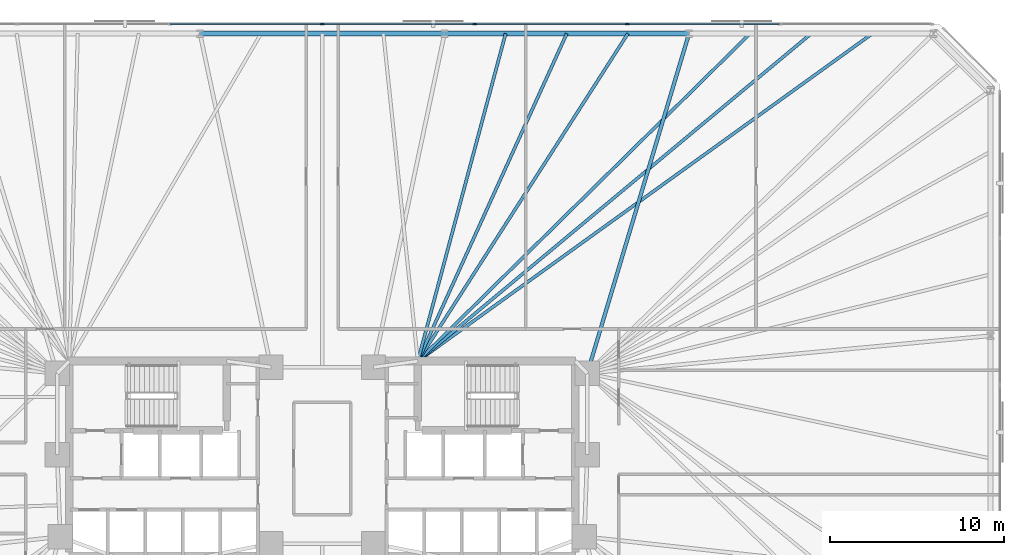
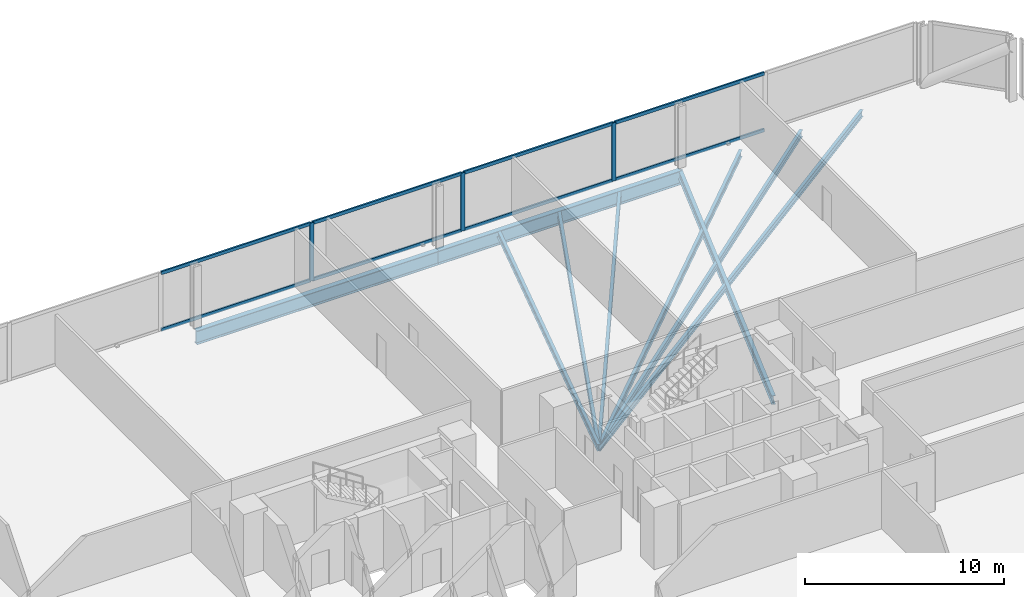
# One storey, part 9 of 17: 11 members, 9 beams, 1 element without a shape of its own.
"""IFC4 building model written with IfcOpenShell, lengths in metres."""

from ifc_helpers import new_model, si_unit, direction, frame, origin, origin_2d, place, context, subcontext, project, spatial, rectangle, i_section, extrude, material, material_profile, profile_set, type_object, element, aggregate, save


model = new_model("IFC4")

# Units and contexts
model_context = context("Model", 3, precision=1e-05, world=origin(), true_north=direction((0.0, 1.0)))
body_context = subcontext(model_context, "Body", "Model", "MODEL_VIEW")
ifc_project = project(units=[si_unit("LENGTHUNIT", "METRE"), si_unit("AREAUNIT", "SQUARE_METRE"), si_unit("VOLUMEUNIT", "CUBIC_METRE"), si_unit("PLANEANGLEUNIT", "RADIAN"), si_unit("MASSUNIT", "GRAM", prefix="KILO")], contexts=[model_context])

# Site, building, storey
site_placement = place(None, origin())
site = spatial("IfcSite", under=ifc_project, at=site_placement, CompositionType="ELEMENT")
building_placement = place(site_placement, origin())
building = spatial("IfcBuilding", under=site, at=building_placement, Name="Menara Jurai Vektor", CompositionType="ELEMENT")
storey_placement = place(building_placement, frame((0.0, 0.0, 71.199951171875)))
storey = spatial("IfcBuildingStorey", under=building, at=storey_placement, Name="L17", CompositionType="ELEMENT", Elevation=71.199951171875)

# Curtain wall, members
ifc_material_1 = material(Name="Anodised Pale Aluminium & Low-E Double Glazing", Category="aluminium")
curtain_wall_type = type_object("IfcCurtainWallType", Name="CW-BLK1", PredefinedType="NOTDEFINED", material=ifc_material_1)
curtain_wall_placement = place(storey_placement, origin())
curtain_wall = element("IfcCurtainWall", 1, at=curtain_wall_placement, inside=storey, type_object=curtain_wall_type, Name="Unitised Curtain Wall L17 F05", PredefinedType="NOTDEFINED")
ifc_material_2 = material(Name="Anodised Pale Aluminium Mullion", Category="aluminium")
ifc_material_profile_1 = material_profile(ifc_material_2, rectangle(XDim=0.094970703125, YDim=0.239990234375, at=origin_2d()), Name="ALU MUL 95x240")
ifc_profile_set_1 = profile_set([ifc_material_profile_1], Name="Anodised Pale Aluminium Mullion")
member_type_1 = type_object("IfcMemberType", Name="CW-BLK1-MUL", PredefinedType="MULLION", material=ifc_profile_set_1)
member_1_placement = place(storey_placement, frame((17.56005859375, 25.0, 0.0), z_axis=(0.0, 0.0, 1.0), x_axis=(0.0, -1.0, 0.0)))
member_1 = element("IfcMember", 2, at=member_1_placement, type_object=member_type_1, Name="CW-01 mullion 3", PredefinedType="MULLION", context=body_context, shape_type="SweptSolid", body=[
    extrude(rectangle(XDim=0.094970703125, YDim=0.239990234375, at=origin_2d()), origin(), (0.0, 0.0, 1.0), 3.574951171875),
])
member_2_placement = place(storey_placement, frame((8.780029296875, 25.0, 0.0), z_axis=(0.0, 0.0, 1.0), x_axis=(0.0, -1.0, 0.0)))
member_2 = element("IfcMember", 3, at=member_2_placement, type_object=member_type_1, Name="CW-01 mullion 4", PredefinedType="MULLION", context=body_context, shape_type="SweptSolid", body=[
    extrude(rectangle(XDim=0.094970703125, YDim=0.239990234375, at=origin_2d()), origin(), (0.0, 0.0, 1.0), 3.574951171875),
])
member_3_placement = place(storey_placement, frame((0.0, 25.0, 0.0), z_axis=(0.0, 0.0, 1.0), x_axis=(0.0, -1.0, 0.0)))
member_3 = element("IfcMember", 4, at=member_3_placement, type_object=member_type_1, Name="CW-01 mullion 5", PredefinedType="MULLION", context=body_context, shape_type="SweptSolid", body=[
    extrude(rectangle(XDim=0.094970703125, YDim=0.239990234375, at=origin_2d()), origin(), (0.0, 0.0, 1.0), 3.574951171875),
])
ifc_material_3 = material(Name="Anodised Pale Aluminium Transom", Category="aluminium")
ifc_material_profile_2 = material_profile(ifc_material_3, rectangle(XDim=0.094970703125, YDim=0.199951171875, at=origin_2d()), Name="ALU TRN 95x200")
ifc_profile_set_2 = profile_set([ifc_material_profile_2], Name="Anodised Pale Aluminium Transom")
member_type_2 = type_object("IfcMemberType", Name="CW-BLK1-TRN", PredefinedType="USERDEFINED", material=ifc_profile_set_2)
member_4_placement = place(storey_placement, frame((26.29248046875, 25.0, 0.047607421875), z_axis=(-1.0, 0.0, 0.0), x_axis=(0.0, -1.0, 0.0)))
member_4 = element("IfcMember", 5, at=member_4_placement, type_object=member_type_2, Name="CW-01 transom 2.1", ObjectType="TRANSOM", PredefinedType="USERDEFINED", context=body_context, shape_type="SweptSolid", body=[
    extrude(rectangle(XDim=0.094970703125, YDim=0.199951171875, at=origin_2d()), origin(), (0.0, 0.0, 1.0), 8.68505859375),
])
member_5_placement = place(storey_placement, frame((26.29248046875, 25.0, 3.527587890625), z_axis=(-1.0, 0.0, 0.0), x_axis=(0.0, -1.0, 0.0)))
member_5 = element("IfcMember", 6, at=member_5_placement, type_object=member_type_2, Name="CW-01 transom 2.2", ObjectType="TRANSOM", PredefinedType="USERDEFINED", context=body_context, shape_type="SweptSolid", body=[
    extrude(rectangle(XDim=0.094970703125, YDim=0.199951171875, at=origin_2d()), origin(), (0.0, 0.0, 1.0), 8.68505859375),
])
member_6_placement = place(storey_placement, frame((17.512451171875, 25.0, 0.047607421875), z_axis=(-1.0, 0.0, 0.0), x_axis=(0.0, -1.0, 0.0)))
member_6 = element("IfcMember", 7, at=member_6_placement, type_object=member_type_2, Name="CW-01 transom 3.1", ObjectType="TRANSOM", PredefinedType="USERDEFINED", context=body_context, shape_type="SweptSolid", body=[
    extrude(rectangle(XDim=0.094970703125, YDim=0.199951171875, at=origin_2d()), origin(), (0.0, 0.0, 1.0), 8.68505859375),
])
member_7_placement = place(storey_placement, frame((17.512451171875, 25.0, 3.527587890625), z_axis=(-1.0, 0.0, 0.0), x_axis=(0.0, -1.0, 0.0)))
member_7 = element("IfcMember", 8, at=member_7_placement, type_object=member_type_2, Name="CW-01 transom 3.2", ObjectType="TRANSOM", PredefinedType="USERDEFINED", context=body_context, shape_type="SweptSolid", body=[
    extrude(rectangle(XDim=0.094970703125, YDim=0.199951171875, at=origin_2d()), origin(), (0.0, 0.0, 1.0), 8.68505859375),
])
member_8_placement = place(storey_placement, frame((8.732421875, 25.0, 0.047607421875), z_axis=(-1.0, 0.0, 0.0), x_axis=(0.0, -1.0, 0.0)))
member_8 = element("IfcMember", 9, at=member_8_placement, type_object=member_type_2, Name="CW-01 transom 4.1", ObjectType="TRANSOM", PredefinedType="USERDEFINED", context=body_context, shape_type="SweptSolid", body=[
    extrude(rectangle(XDim=0.094970703125, YDim=0.199951171875, at=origin_2d()), origin(), (0.0, 0.0, 1.0), 8.684814453125),
])
member_9_placement = place(storey_placement, frame((8.732421875, 25.0, 3.527587890625), z_axis=(-1.0, 0.0, 0.0), x_axis=(0.0, -1.0, 0.0)))
member_9 = element("IfcMember", 10, at=member_9_placement, type_object=member_type_2, Name="CW-01 transom 4.2", ObjectType="TRANSOM", PredefinedType="USERDEFINED", context=body_context, shape_type="SweptSolid", body=[
    extrude(rectangle(XDim=0.094970703125, YDim=0.199951171875, at=origin_2d()), origin(), (0.0, 0.0, 1.0), 8.684814453125),
])
member_10_placement = place(storey_placement, frame((-0.047607421875, 25.0, 0.047607421875), z_axis=(-1.0, 0.0, 0.0), x_axis=(0.0, -1.0, 0.0)))
member_10 = element("IfcMember", 11, at=member_10_placement, type_object=member_type_2, Name="CW-01 transom 5.1", ObjectType="TRANSOM", PredefinedType="USERDEFINED", context=body_context, shape_type="SweptSolid", body=[
    extrude(rectangle(XDim=0.094970703125, YDim=0.199951171875, at=origin_2d()), origin(), (0.0, 0.0, 1.0), 8.684814453125),
])
member_11_placement = place(storey_placement, frame((-0.047607421875, 25.0, 3.527587890625), z_axis=(-1.0, 0.0, 0.0), x_axis=(0.0, -1.0, 0.0)))
member_11 = element("IfcMember", 12, at=member_11_placement, type_object=member_type_2, Name="CW-01 transom 5.2", ObjectType="TRANSOM", PredefinedType="USERDEFINED", context=body_context, shape_type="SweptSolid", body=[
    extrude(rectangle(XDim=0.094970703125, YDim=0.199951171875, at=origin_2d()), origin(), (0.0, 0.0, 1.0), 8.684814453125),
])
aggregate(curtain_wall, [member_1, member_2, member_3, member_4, member_5, member_6, member_7, member_8, member_9, member_10, member_11])

# Beams
ifc_material_4 = material(Name="Steel S355", Category="steel")
ifc_material_profile_3 = material_profile(ifc_material_4, i_section(OverallWidth=0.2109375, OverallDepth=0.5390625, WebThickness=0.011962890625, FlangeThickness=0.01904296875, FilletRadius=0.012939453125, at=origin_2d()), Name="UKB 533x210x109")
ifc_profile_set_3 = profile_set([ifc_material_profile_3], Name="Steel S355")
beam_type_1 = type_object("IfcBeamType", Name="STR-BM-533", PredefinedType="BEAM", material=ifc_profile_set_3)
beam_1_placement = place(storey_placement, frame((21.106689453125, 24.449951171875, -0.494384765625), z_axis=(-0.286973617166, -0.957938486047, 0.0), x_axis=(0.957938486047, -0.286973617166, 0.0)))
element("IfcBeam", 13, at=beam_1_placement, inside=storey, type_object=beam_type_1, Name="Radial Floor Girder L17-N2", PredefinedType="BEAM", context=body_context, shape_type="SweptSolid", body=[
    extrude(i_section(OverallWidth=0.2109375, OverallDepth=0.5390625, WebThickness=0.011962890625, FlangeThickness=0.01904296875, FilletRadius=0.012939453125, at=origin_2d()), origin(), (0.0, 0.0, 1.0), 20.408447265625),
])
ifc_material_profile_4 = material_profile(ifc_material_4, i_section(OverallWidth=0.178955078125, OverallDepth=0.408935546875, WebThickness=0.009033203125, FlangeThickness=0.013916015625, FilletRadius=0.010009765625, at=origin_2d()), Name="UKB 406x178x67")
ifc_profile_set_4 = profile_set([ifc_material_profile_4], Name="Steel S355")
beam_type_2 = type_object("IfcBeamType", Name="STR-JS-406", PredefinedType="JOIST", material=ifc_profile_set_4)
beam_2_placement = place(storey_placement, frame((31.659912109375, 24.449951171875, -0.429443359375), z_axis=(-0.81131785733, -0.584605280833, 0.0), x_axis=(0.584605280833, -0.81131785733, 0.0)))
element("IfcBeam", 14, at=beam_2_placement, inside=storey, type_object=beam_type_2, Name="Radial Secondary Floor Joist L17-JS16", PredefinedType="JOIST", context=body_context, shape_type="SweptSolid", body=[
    extrude(i_section(OverallWidth=0.178955078125, OverallDepth=0.408935546875, WebThickness=0.009033203125, FlangeThickness=0.013916015625, FilletRadius=0.010009765625, at=origin_2d()), origin(), (0.0, 0.0, 1.0), 32.24365234375),
])
beam_3_placement = place(storey_placement, frame((28.142333984375, 24.449951171875, -0.429443359375), z_axis=(-0.76853431665, -0.639808568347, 0.0), x_axis=(0.639808568347, -0.76853431665, 0.0)))
element("IfcBeam", 15, at=beam_3_placement, inside=storey, type_object=beam_type_2, Name="Radial Secondary Floor Joist L17-JS17", PredefinedType="JOIST", context=body_context, shape_type="SweptSolid", body=[
    extrude(i_section(OverallWidth=0.178955078125, OverallDepth=0.408935546875, WebThickness=0.009033203125, FlangeThickness=0.013916015625, FilletRadius=0.010009765625, at=origin_2d()), origin(), (0.0, 0.0, 1.0), 29.461669921875),
])
beam_4_placement = place(storey_placement, frame((24.62451171875, 24.449951171875, -0.429443359375), z_axis=(-0.712202462998, -0.70197411042, 0.0), x_axis=(0.70197411042, -0.712202462998, 0.0)))
element("IfcBeam", 16, at=beam_4_placement, inside=storey, type_object=beam_type_2, Name="Radial Secondary Floor Joist L17-JS18", PredefinedType="JOIST", context=body_context, shape_type="SweptSolid", body=[
    extrude(i_section(OverallWidth=0.178955078125, OverallDepth=0.408935546875, WebThickness=0.009033203125, FlangeThickness=0.013916015625, FilletRadius=0.010009765625, at=origin_2d()), origin(), (0.0, 0.0, 1.0), 26.8525390625),
])
beam_5_placement = place(storey_placement, frame((17.5888671875, 24.449951171875, -0.429443359375), z_axis=(-0.53984422461, -0.841764939372, 0.0), x_axis=(0.841764939372, -0.53984422461, 0.0)))
element("IfcBeam", 17, at=beam_5_placement, inside=storey, type_object=beam_type_2, Name="Radial Secondary Floor Joist L17-JS19", PredefinedType="JOIST", context=body_context, shape_type="SweptSolid", body=[
    extrude(i_section(OverallWidth=0.178955078125, OverallDepth=0.408935546875, WebThickness=0.009033203125, FlangeThickness=0.013916015625, FilletRadius=0.010009765625, at=origin_2d()), origin(), (0.0, 0.0, 1.0), 22.393310546875),
])
beam_6_placement = place(storey_placement, frame((14.071044921875, 24.449951171875, -0.429443359375), z_axis=(-0.413920197297, -0.910313171535, 0.0), x_axis=(0.910313171535, -0.413920197297, 0.0)))
element("IfcBeam", 18, at=beam_6_placement, inside=storey, type_object=beam_type_2, Name="Radial Secondary Floor Joist L17-JS20", PredefinedType="JOIST", context=body_context, shape_type="SweptSolid", body=[
    extrude(i_section(OverallWidth=0.178955078125, OverallDepth=0.408935546875, WebThickness=0.009033203125, FlangeThickness=0.013916015625, FilletRadius=0.010009765625, at=origin_2d()), origin(), (0.0, 0.0, 1.0), 20.70703125),
])
beam_7_placement = place(storey_placement, frame((10.55322265625, 24.449951171875, -0.429443359375), z_axis=(-0.258934723238, -0.965894823002, 0.0), x_axis=(0.965894823002, -0.258934723238, 0.0)))
element("IfcBeam", 19, at=beam_7_placement, inside=storey, type_object=beam_type_2, Name="Radial Secondary Floor Joist L17-JS21", PredefinedType="JOIST", context=body_context, shape_type="SweptSolid", body=[
    extrude(i_section(OverallWidth=0.178955078125, OverallDepth=0.408935546875, WebThickness=0.009033203125, FlangeThickness=0.013916015625, FilletRadius=0.010009765625, at=origin_2d()), origin(), (0.0, 0.0, 1.0), 19.515380859375),
])
ifc_material_5 = material(Name="Steel S460", Category="steel")
ifc_material_profile_5 = material_profile(ifc_material_5, i_section(OverallWidth=0.2939453125, OverallDepth=0.85107421875, WebThickness=0.01611328125, FlangeThickness=0.027099609375, FilletRadius=0.01806640625, at=origin_2d()), Name="UKB 838x292x226")
ifc_profile_set_5 = profile_set([ifc_material_profile_5], Name="Steel S460")
beam_type_3 = type_object("IfcBeamType", Name="STR-SP-838", PredefinedType="SPANDREL", material=ifc_profile_set_5)
beam_8_placement = place(storey_placement, frame((21.106689453125, 24.449951171875, -0.650390625), z_axis=(-1.0, 0.0, 0.0), x_axis=(0.0, -1.0, 0.0)))
element("IfcBeam", 20, at=beam_8_placement, inside=storey, type_object=beam_type_3, Name="Exoskeleton Spandrel Beam L17-12", PredefinedType="SPANDREL", context=body_context, shape_type="SweptSolid", body=[
    extrude(i_section(OverallWidth=0.2939453125, OverallDepth=0.85107421875, WebThickness=0.01611328125, FlangeThickness=0.027099609375, FilletRadius=0.01806640625, at=origin_2d()), origin(), (0.0, 0.0, 1.0), 14.071044921875),
])
beam_9_placement = place(storey_placement, frame((7.03564453125, 24.449951171875, -0.650390625), z_axis=(-1.0, 0.0, 0.0), x_axis=(0.0, -1.0, 0.0)))
element("IfcBeam", 21, at=beam_9_placement, inside=storey, type_object=beam_type_3, Name="Exoskeleton Spandrel Beam L17-13", PredefinedType="SPANDREL", context=body_context, shape_type="SweptSolid", body=[
    extrude(i_section(OverallWidth=0.2939453125, OverallDepth=0.85107421875, WebThickness=0.01611328125, FlangeThickness=0.027099609375, FilletRadius=0.01806640625, at=origin_2d()), origin(), (0.0, 0.0, 1.0), 14.0712890625),
])

save(model, "model.ifc")
